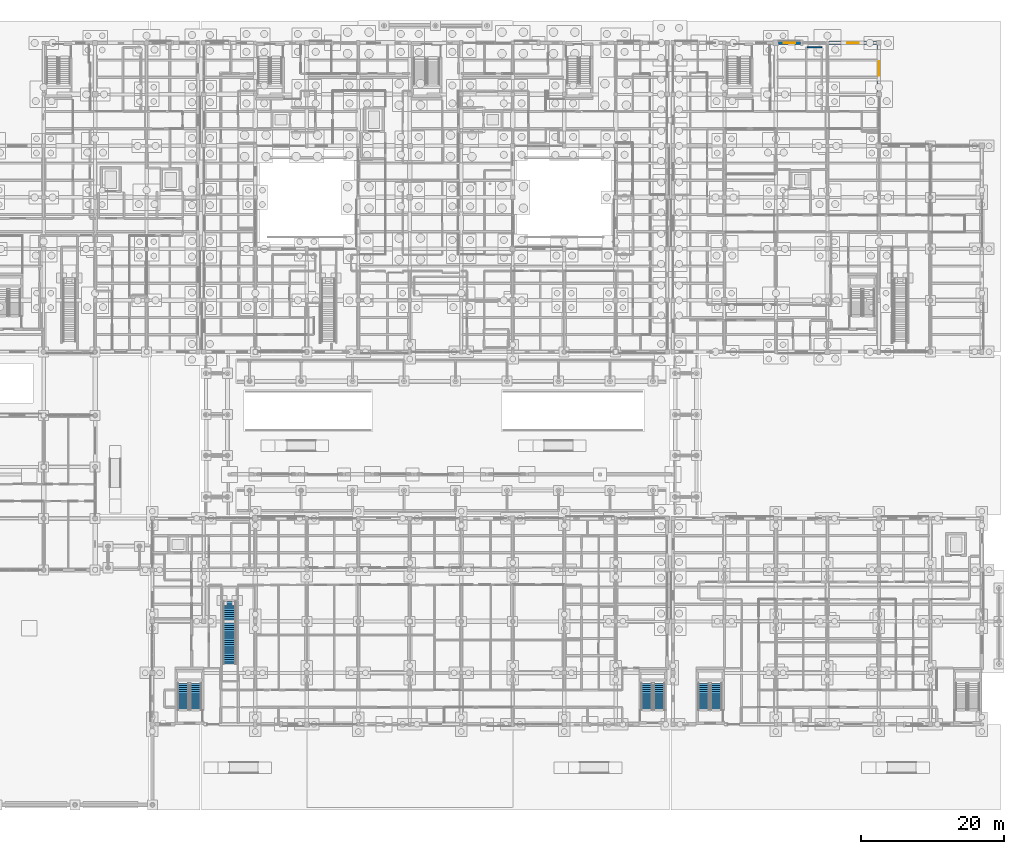
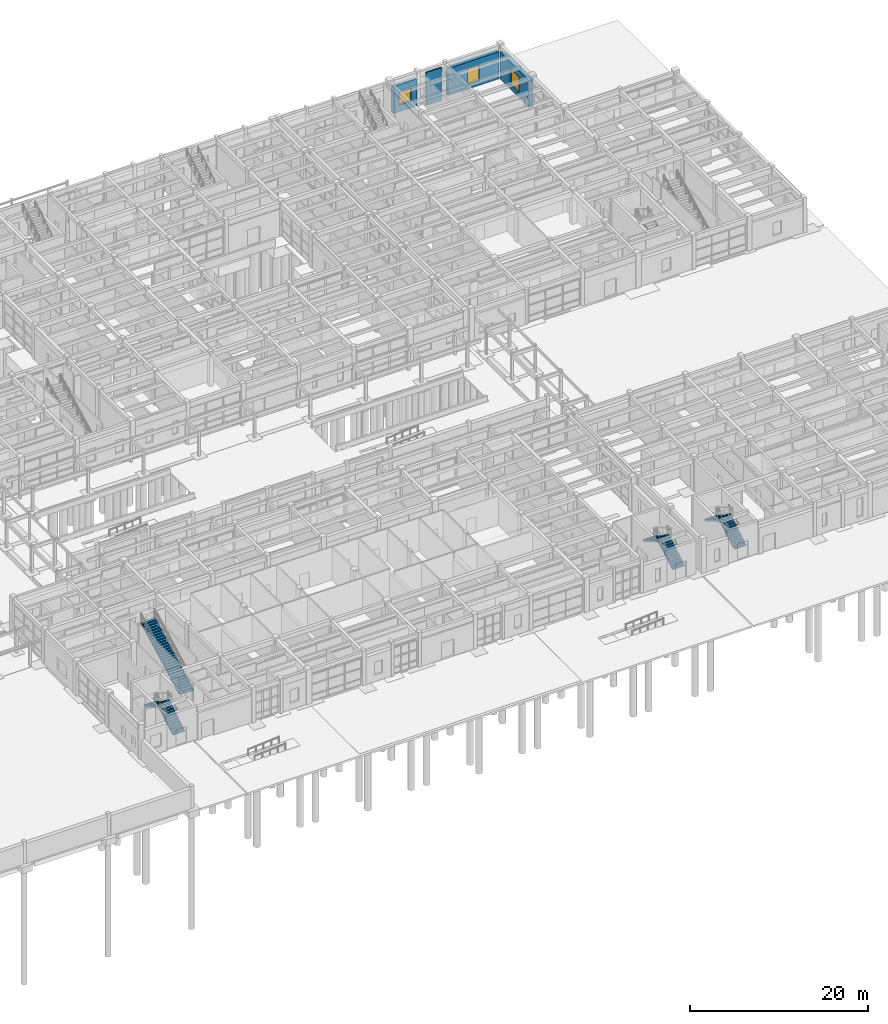
# One storey, part 122 of 143: 7 stair flights, 4 walls, 3 windows, 3 openings, 4 elements without a shape of their own.
"""IFC4 building model written with IfcOpenShell, lengths in metres."""

import ifcopenshell
import ifcopenshell.guid

model = None  # the IFC model being written
_history = None  # IfcOwnerHistory: only IFC2X3 demands one
_inside = {}  # id of a spatial element -> (the spatial element, [elements in it])
_under = {}  # id of a project, library or spatial element -> (it, [spatial elements below it])
_declared = {}  # id of a project -> (the project, [libraries it declares])
_typed = {}  # id of a type object -> (the type object, [elements of that type])
_made_of = {}  # id of a material, layer set ... -> (it, [elements and type objects made of it])


def new_model(schema):
    """Start an empty IFC model of exactly this schema.

    Asked for "IFC4X3", IfcOpenShell would pick the latest addendum, in which some entities
    have other attributes; the version numbers below select the first issue.
    IFC2X3 requires an IfcOwnerHistory on every rooted entity: one is made here for all.
    """
    global model, _history
    if schema == "IFC4X3":
        model = ifcopenshell.file(schema_version=(4, 3, 0, 0))
    else:
        model = ifcopenshell.file(schema=schema)
    _inside.clear()
    _under.clear()
    _declared.clear()
    _typed.clear()
    _made_of.clear()
    _history = None
    if model.schema == "IFC2X3":
        org = make("IfcOrganization", Name="unknown")
        user = make(
            "IfcPersonAndOrganization",
            ThePerson=make("IfcPerson", FamilyName="unknown"),
            TheOrganization=org,
        )
        app = make(
            "IfcApplication",
            ApplicationDeveloper=org,
            Version="unknown",
            ApplicationFullName="unknown",
            ApplicationIdentifier="unknown",
        )
        _history = make(
            "IfcOwnerHistory",
            OwningUser=user,
            OwningApplication=app,
            ChangeAction="ADDED",
            CreationDate=0,
        )
    return model


def make(cls, **values):
    """One entity of the class cls with the attributes given. An attribute that is None is left unset."""
    return model.create_entity(
        cls, **{name: value for name, value in values.items() if value is not None}
    )


def rooted(cls, **values):
    """An entity with a GlobalId (a new one), such as an element, a storey or a relation."""
    return make(cls, GlobalId=ifcopenshell.guid.new(), OwnerHistory=_history, **values)


def si_unit(unit_type, name, prefix=None):
    """IfcSIUnit, for example si_unit("LENGTHUNIT", "METRE", prefix="MILLI")."""
    return make("IfcSIUnit", UnitType=unit_type, Prefix=prefix, Name=name)


def assignment(units):
    """IfcUnitAssignment: the units of a project."""
    return None if units is None else make("IfcUnitAssignment", Units=units)


def point(xyz):
    """IfcCartesianPoint."""
    return None if xyz is None else make("IfcCartesianPoint", Coordinates=xyz)


def direction(xyz):
    """IfcDirection."""
    return None if xyz is None else make("IfcDirection", DirectionRatios=xyz)


def frame(location, z_axis=None, x_axis=None):
    """IfcAxis2Placement3D, a coordinate frame: its origin and axes. An axis left out is left unset."""
    return make(
        "IfcAxis2Placement3D",
        Location=point(location),
        Axis=direction(z_axis),
        RefDirection=direction(x_axis),
    )


def frame_2d(location, x_axis=None):
    """IfcAxis2Placement2D, a coordinate frame in the plane: its origin and x axis."""
    return make(
        "IfcAxis2Placement2D", Location=point(location), RefDirection=direction(x_axis)
    )


def origin():
    """The frame at (0, 0, 0) with its axes left unset."""
    return frame((0.0, 0.0, 0.0))


def place(relative_to, where):
    """IfcLocalPlacement: puts the frame where relative to a parent placement (None: the world)."""
    return make(
        "IfcLocalPlacement", PlacementRelTo=relative_to, RelativePlacement=where
    )


def context(
    kind, dimensions, precision=None, world=None, true_north=None, identifier=None
):
    """IfcGeometricRepresentationContext, for example the 3D "Model" context."""
    return make(
        "IfcGeometricRepresentationContext",
        ContextIdentifier=identifier,
        ContextType=kind,
        CoordinateSpaceDimension=dimensions,
        Precision=precision,
        WorldCoordinateSystem=world,
        TrueNorth=true_north,
    )


def subcontext(parent, identifier, kind, view, scale=None):
    """IfcGeometricRepresentationSubContext, for example "Body" below "Model"."""
    return make(
        "IfcGeometricRepresentationSubContext",
        ContextIdentifier=identifier,
        ContextType=kind,
        ParentContext=parent,
        TargetScale=scale,
        TargetView=view,
    )


def project(units=None, contexts=None):
    """IfcProject with its units and contexts."""
    return rooted(
        "IfcProject",
        Name="project",
        RepresentationContexts=contexts,
        UnitsInContext=assignment(units),
    )


def spatial(cls, under=None, at=None, **own):
    """A site, building, storey or space (cls), placed at a placement, below another one or the project."""
    s = rooted(cls, ObjectPlacement=at, **own)
    if under is not None:
        _under.setdefault(under.id(), (under, []))[1].append(s)
    return s


def polyline(points):
    """IfcPolyline through the points."""
    return make("IfcPolyline", Points=[point(p) for p in points])


def profile(cls, at=None, kind="AREA", **sizes):
    """A parametric profile (cls). Its sizes go by their IFC names, for example OverallWidth=200.0."""
    return make(cls, ProfileType=kind, Position=at, **sizes)


def rectangle(**sizes):
    """IfcRectangleProfileDef."""
    return profile("IfcRectangleProfileDef", **sizes)


def outline(outer, holes=None, kind="AREA"):
    """IfcArbitraryClosedProfileDef: a profile drawn as a closed curve; with holes, ...WithVoids."""
    if holes is None:
        return make("IfcArbitraryClosedProfileDef", ProfileType=kind, OuterCurve=outer)
    return make(
        "IfcArbitraryProfileDefWithVoids",
        ProfileType=kind,
        OuterCurve=outer,
        InnerCurves=holes,
    )


def extrude(swept, where, along, depth):
    """IfcExtrudedAreaSolid: the profile swept, set in the frame where, extruded along a direction by depth."""
    return make(
        "IfcExtrudedAreaSolid",
        SweptArea=swept,
        Position=where,
        ExtrudedDirection=direction(along),
        Depth=depth,
    )


def shape(context_of_items, identifier, shape_type, items):
    """IfcShapeRepresentation: the items that make up one representation, for example the "Body"."""
    return make(
        "IfcShapeRepresentation",
        ContextOfItems=context_of_items,
        RepresentationIdentifier=identifier,
        RepresentationType=shape_type,
        Items=items,
    )


def material(Name=None, Category=None):
    """IfcMaterial."""
    return make("IfcMaterial", Name=Name, Category=Category)


def layer(
    of_material, thickness, ventilated=None, Name=None, Category=None, Priority=None
):
    """IfcMaterialLayer: one layer of a wall or slab, of a material (None: an air gap)."""
    return make(
        "IfcMaterialLayer",
        Material=of_material,
        LayerThickness=thickness,
        IsVentilated=ventilated,
        Name=Name,
        Category=Category,
        Priority=Priority,
    )


def layer_set(layers, Name=None):
    """IfcMaterialLayerSet."""
    return make("IfcMaterialLayerSet", MaterialLayers=layers, LayerSetName=Name)


def made_of(thing, what):
    """Note that an element or type object is made of a material, layer set ...; save() writes the relation."""
    if what is not None:
        _made_of.setdefault(what.id(), (what, []))[1].append(thing)
    return thing


def type_object(cls, material=None, **own):
    """A type object (cls), such as IfcWallType, which elements share."""
    return made_of(rooted(cls, **own), material)


def element(
    cls,
    number,
    at=None,
    inside=None,
    cuts=None,
    type_object=None,
    material=None,
    context=None,
    identifier="Body",
    shape_type=None,
    held_by="IfcProductDefinitionShape",
    body=None,
    shapes=None,
    **own,
):
    """One element of the class cls, such as IfcWall. Its Tag is "e" and its number.

    at: its placement. inside: the storey or other place that contains it. cuts: it is an
    opening in that element (IfcRelVoidsElement). A single representation is given by context,
    identifier, shape_type and body (its items); several are given by shapes. held_by: the class
    of the entity that holds the representations. save() writes the other relations.
    """
    e = rooted(cls, Tag="e%d" % number, ObjectPlacement=at, **own)
    if body is not None:
        shapes = [shape(context, identifier, shape_type, body)]
    if shapes is not None:
        e.Representation = make(held_by, Representations=shapes)
    if inside is not None:
        _inside.setdefault(inside.id(), (inside, []))[1].append(e)
    if cuts is not None:
        rooted(
            "IfcRelVoidsElement", RelatingBuildingElement=cuts, RelatedOpeningElement=e
        )
    if type_object is not None:
        _typed.setdefault(type_object.id(), (type_object, []))[1].append(e)
    return made_of(e, material)


def fill(opening, filler):
    """IfcRelFillsElement: the door or window that sits in an opening."""
    return rooted(
        "IfcRelFillsElement",
        RelatingOpeningElement=opening,
        RelatedBuildingElement=filler,
    )


def aggregate(whole, parts):
    """IfcRelAggregates: a whole, such as a stair, and the parts it consists of."""
    return rooted("IfcRelAggregates", RelatingObject=whole, RelatedObjects=parts)


def save(model, path):
    """Write the relations noted so far, then the file.

    IfcRelAggregates (storeys below a building ...), IfcRelContainedInSpatialStructure (elements
    in a storey), IfcRelDefinesByType, IfcRelAssociatesMaterial and IfcRelDeclares: one each for
    every whole, place, type object, material and project.
    """
    for whole, parts in _under.values():
        aggregate(whole, parts)
    for where, things in _inside.values():
        rooted(
            "IfcRelContainedInSpatialStructure",
            RelatedElements=things,
            RelatingStructure=where,
        )
    for kind, things in _typed.values():
        rooted("IfcRelDefinesByType", RelatedObjects=things, RelatingType=kind)
    for what, things in _made_of.values():
        rooted("IfcRelAssociatesMaterial", RelatedObjects=things, RelatingMaterial=what)
    for by, libraries in _declared.values():
        rooted("IfcRelDeclares", RelatingContext=by, RelatedDefinitions=libraries)
    model.write(path)


model = new_model("IFC4")

# Units and contexts
model_context = context("Model", 3, precision=1e-05, world=origin(), true_north=direction((0.0, 1.0)))
body_context = subcontext(model_context, "Body", "Model", "MODEL_VIEW")
ifc_project = project(units=[si_unit("LENGTHUNIT", "METRE"), si_unit("AREAUNIT", "SQUARE_METRE"), si_unit("VOLUMEUNIT", "CUBIC_METRE"), si_unit("PLANEANGLEUNIT", "RADIAN"), si_unit("MASSUNIT", "GRAM", prefix="KILO")], contexts=[model_context])

# Site, building, storey
site_placement = place(None, origin())
site = spatial("IfcSite", under=ifc_project, at=site_placement, CompositionType="ELEMENT")
building_placement = place(site_placement, origin())
building = spatial("IfcBuilding", under=site, at=building_placement, Name="Steenspoor Specialist Clinic", CompositionType="ELEMENT")
storey_placement = place(building_placement, origin())
storey = spatial("IfcBuildingStorey", under=building, at=storey_placement, Name="L00", CompositionType="ELEMENT", Elevation=0.0)

# Wall, opening, window
ifc_material_1 = material(Name="Volcanic basalt ashlar masonry", Category="masonry")
ifc_layer_1 = layer(ifc_material_1, 0.47998046875)
ifc_layer_set_1 = layer_set([ifc_layer_1], Name="Volcanic basalt ashlar masonry")
wall_type_1 = type_object("IfcWallType", Name="W-BASALT-480", PredefinedType="SOLIDWALL", material=ifc_layer_set_1)
wall_1_placement = place(storey_placement, frame((132.77490234375, 108.35009765625, 0.0), z_axis=(0.0, 0.0, 1.0), x_axis=(1.0, 0.0, 0.0)))
wall_1 = element("IfcWall", 1, at=wall_1_placement, inside=storey, type_object=wall_type_1, Name="Exterior Brick Wall EW-V6-L00-0306", PredefinedType="SOLIDWALL", context=body_context, shape_type="SweptSolid", body=[
    extrude(rectangle(XDim=3.03515625, YDim=0.47998046875, at=frame_2d((1.517578125, 0.0))), origin(), (0.0, 0.0, 1.0), 3.699951171875),
])
opening_1_placement = place(wall_1_placement, frame((0.717529296875, 0.0, 0.89990234375)))
opening_1 = element("IfcOpeningElement", 2, at=opening_1_placement, cuts=wall_1, Name="Opening WN-07", PredefinedType="OPENING", context=body_context, shape_type="SweptSolid", body=[
    extrude(rectangle(XDim=1.60009765625, YDim=1.800048828125, at=frame_2d((0.800048828125, 0.89990234375))), frame((0.0, 0.25, 0.0), z_axis=(0.0, -1.0, 0.0), x_axis=(1.0, 0.0, 0.0)), (0.0, 0.0, 1.0), 0.5),
])
ifc_material_2 = material(Name="Thermally broken aluminium and low-emissivity glass", Category="aluminium")
window_type_1 = type_object("IfcWindowType", Name="WN-EXT-160X180", PartitioningType="SINGLE_PANEL", PredefinedType="WINDOW", material=ifc_material_2)
window_1_placement = place(opening_1_placement, origin())
window_1 = element("IfcWindow", 3, at=window_1_placement, inside=storey, type_object=window_type_1, Name="Window 0327", OverallHeight=1.800048828125, OverallWidth=1.60009765625, PartitioningType="SINGLE_PANEL", PredefinedType="WINDOW", context=body_context, shape_type="SweptSolid", body=[
    extrude(rectangle(XDim=1.60009765625, YDim=1.800048828125, at=frame_2d((0.800048828125, 0.89990234375))), frame((0.0, 0.030029296875, 0.0), z_axis=(0.0, -1.0, 0.0), x_axis=(1.0, 0.0, 0.0)), (0.0, 0.0, 1.0), 0.06005859375),
])
fill(opening_1, window_1)

wall_2_placement = place(storey_placement, frame((139.85009765625, 108.35009765625, 0.0), z_axis=(0.0, 0.0, 1.0), x_axis=(1.0, 0.0, 0.0)))
wall_2 = element("IfcWall", 4, at=wall_2_placement, inside=storey, type_object=wall_type_1, Name="Exterior Brick Wall EW-V6-L00-0307", PredefinedType="SOLIDWALL", context=body_context, shape_type="SweptSolid", body=[
    extrude(rectangle(XDim=6.625, YDim=0.47998046875, at=frame_2d((3.3125, 0.0))), origin(), (0.0, 0.0, 1.0), 3.699951171875),
])
opening_2_placement = place(wall_2_placement, frame((2.512451171875, 0.0, 0.60009765625)))
opening_2 = element("IfcOpeningElement", 5, at=opening_2_placement, cuts=wall_2, Name="Opening WN-16", PredefinedType="OPENING", context=body_context, shape_type="SweptSolid", body=[
    extrude(rectangle(XDim=1.60009765625, YDim=2.199951171875, at=frame_2d((0.800048828125, 1.10009765625))), frame((0.0, 0.25, 0.0), z_axis=(0.0, -1.0, 0.0), x_axis=(1.0, 0.0, 0.0)), (0.0, 0.0, 1.0), 0.5),
])
window_type_2 = type_object("IfcWindowType", Name="WN-EXT-160X220", PartitioningType="SINGLE_PANEL", PredefinedType="WINDOW", material=ifc_material_2)
window_2_placement = place(opening_2_placement, origin())
window_2 = element("IfcWindow", 6, at=window_2_placement, inside=storey, type_object=window_type_2, Name="Window 0328", OverallHeight=2.199951171875, OverallWidth=1.60009765625, PartitioningType="SINGLE_PANEL", PredefinedType="WINDOW", context=body_context, shape_type="SweptSolid", body=[
    extrude(rectangle(XDim=1.60009765625, YDim=2.199951171875, at=frame_2d((0.800048828125, 1.10009765625))), frame((0.0, 0.030029296875, 0.0), z_axis=(0.0, -1.0, 0.0), x_axis=(1.0, 0.0, 0.0)), (0.0, 0.0, 1.0), 0.06005859375),
])
fill(opening_2, window_2)

wall_3_placement = place(storey_placement, frame((146.800048828125, 108.02490234375, 0.0), z_axis=(0.0, 0.0, 1.0), x_axis=(0.0, -1.0, 0.0)))
wall_3 = element("IfcWall", 7, at=wall_3_placement, inside=storey, type_object=wall_type_1, Name="Exterior Brick Wall EW-V6-L00-0308", PredefinedType="SOLIDWALL", context=body_context, shape_type="SweptSolid", body=[
    extrude(rectangle(XDim=6.52490234375, YDim=0.47998046875, at=frame_2d((3.262451171875, 0.0))), origin(), (0.0, 0.0, 1.0), 3.699951171875),
])
opening_3_placement = place(wall_3_placement, frame((2.262451171875, 0.0, 0.60009765625)))
opening_3 = element("IfcOpeningElement", 8, at=opening_3_placement, cuts=wall_3, Name="Opening WN-17", PredefinedType="OPENING", context=body_context, shape_type="SweptSolid", body=[
    extrude(rectangle(XDim=2.0, YDim=2.199951171875, at=frame_2d((1.0, 1.10009765625))), frame((0.0, 0.25, 0.0), z_axis=(0.0, -1.0, 0.0), x_axis=(1.0, 0.0, 0.0)), (0.0, 0.0, 1.0), 0.5),
])
window_type_3 = type_object("IfcWindowType", Name="WN-EXT-200X220", PartitioningType="SINGLE_PANEL", PredefinedType="WINDOW", material=ifc_material_2)
window_3_placement = place(opening_3_placement, origin())
window_3 = element("IfcWindow", 9, at=window_3_placement, inside=storey, type_object=window_type_3, Name="Window 0329", OverallHeight=2.199951171875, OverallWidth=2.0, PartitioningType="SINGLE_PANEL", PredefinedType="WINDOW", context=body_context, shape_type="SweptSolid", body=[
    extrude(rectangle(XDim=2.0, YDim=2.199951171875, at=frame_2d((1.0, 1.10009765625))), frame((0.0, 0.030029296875, 0.0), z_axis=(0.0, -1.0, 0.0), x_axis=(1.0, 0.0, 0.0)), (0.0, 0.0, 1.0), 0.06005859375),
])
fill(opening_3, window_3)

# Wall
ifc_material_3 = material(Name="Moisture-resistant gypsum plumbing wall", Category="gypsum")
ifc_layer_2 = layer(ifc_material_3, 0.179931640625)
ifc_layer_set_2 = layer_set([ifc_layer_2], Name="Moisture-resistant gypsum plumbing wall")
wall_type_2 = type_object("IfcWallType", Name="W-PLUMB-180", PredefinedType="PLUMBINGWALL", material=ifc_layer_set_2)
wall_4_placement = place(storey_placement, frame((136.7548828125, 107.72998046875, 0.0), z_axis=(0.0, 0.0, 1.0), x_axis=(1.0, 0.0, 0.0)))
element("IfcWall", 10, at=wall_4_placement, inside=storey, type_object=wall_type_2, Name="Interior Partition IW-V6-L00-0043", PredefinedType="PLUMBINGWALL", context=body_context, shape_type="SweptSolid", body=[
    extrude(rectangle(XDim=2.045166015625, YDim=0.179931640625, at=frame_2d((1.0224609375, 0.0))), origin(), (0.0, 0.0, 1.0), 4.52001953125),
])

# Stair, stair flights
ifc_material_4 = material(Name="Concrete C35/45", Category="concrete")
stair_type_1 = type_object("IfcStairType", Name="ST-CORE-L00", PredefinedType="HALF_TURN_STAIR", material=ifc_material_4)
stair_1_placement = place(storey_placement, origin())
stair_1 = element("IfcStair", 11, at=stair_1_placement, inside=storey, type_object=stair_type_1, Name="L00 Enclosed Exit Stair ST-V1A", PredefinedType="HALF_TURN_STAIR")
stair_flight_type_1 = type_object("IfcStairFlightType", Name="FL-CORE-L00", PredefinedType="STRAIGHT", material=ifc_material_4)
stair_flight_1_placement = place(storey_placement, frame((51.27490234375, 15.050048828125, 0.0), z_axis=(0.0, 0.0, 1.0), x_axis=(0.0, 1.0, 0.0)))
stair_flight_1 = element("IfcStairFlight", 12, at=stair_flight_1_placement, type_object=stair_flight_type_1, Name="ST-V1A flight 1", NumberOfRisers=14, NumberOfTreads=13, PredefinedType="STRAIGHT", RiserHeight=0.171428571, TreadLength=0.285, context=body_context, shape_type="SweptSolid", body=[
    extrude(outline(polyline([(0.0, 0.0), (0.0, 0.17138671875), (0.284912109375, 0.17138671875), (0.284912109375, 0.3427734375), (0.570068359375, 0.3427734375), (0.570068359375, 0.514404296875), (0.85498046875, 0.514404296875), (0.85498046875, 0.685791015625), (1.139892578125, 0.685791015625), (1.139892578125, 0.857177734375), (1.425048828125, 0.857177734375), (1.425048828125, 1.028564453125), (1.7099609375, 1.028564453125), (1.7099609375, 1.199951171875), (1.9951171875, 1.199951171875), (1.9951171875, 1.371337890625), (2.280029296875, 1.371337890625), (2.280029296875, 1.54296875), (2.56494140625, 1.54296875), (2.56494140625, 1.71435546875), (2.85009765625, 1.71435546875), (2.85009765625, 1.8857421875), (3.135009765625, 1.8857421875), (3.135009765625, 2.05712890625), (3.419921875, 2.05712890625), (3.419921875, 2.228515625), (3.705078125, 2.228515625), (3.705078125, 2.39990234375), (3.705078125, 2.0419921875), (0.310302734375, 0.0), (0.0, 0.0)])), frame((0.0, 0.77490234375, 0.0), z_axis=(0.0, -1.0, 0.0), x_axis=(1.0, 0.0, 0.0)), (0.0, 0.0, 1.0), 1.550048828125),
])
stair_flight_2_placement = place(storey_placement, frame((49.52490234375, 18.7548828125, 2.39990234375), z_axis=(0.0, 0.0, 1.0), x_axis=(0.0, -1.0, 0.0)))
stair_flight_2 = element("IfcStairFlight", 13, at=stair_flight_2_placement, type_object=stair_flight_type_1, Name="ST-V1A flight 2", NumberOfRisers=14, NumberOfTreads=13, PredefinedType="STRAIGHT", RiserHeight=0.171428571, TreadLength=0.285, context=body_context, shape_type="SweptSolid", body=[
    extrude(outline(polyline([(0.0, 0.0), (0.0, 0.17138671875), (0.284912109375, 0.17138671875), (0.284912109375, 0.3427734375), (0.570068359375, 0.3427734375), (0.570068359375, 0.514404296875), (0.85498046875, 0.514404296875), (0.85498046875, 0.685791015625), (1.139892578125, 0.685791015625), (1.139892578125, 0.857177734375), (1.425048828125, 0.857177734375), (1.425048828125, 1.028564453125), (1.7099609375, 1.028564453125), (1.7099609375, 1.199951171875), (1.9951171875, 1.199951171875), (1.9951171875, 1.371337890625), (2.280029296875, 1.371337890625), (2.280029296875, 1.54296875), (2.56494140625, 1.54296875), (2.56494140625, 1.71435546875), (2.85009765625, 1.71435546875), (2.85009765625, 1.8857421875), (3.135009765625, 1.8857421875), (3.135009765625, 2.05712890625), (3.419921875, 2.05712890625), (3.419921875, 2.228515625), (3.705078125, 2.228515625), (3.705078125, 2.39990234375), (3.705078125, 2.0419921875), (0.310302734375, 0.0), (0.0, 0.0)])), frame((0.0, 0.77490234375, 0.0), z_axis=(0.0, -1.0, 0.0), x_axis=(1.0, 0.0, 0.0)), (0.0, 0.0, 1.0), 1.550048828125),
])
aggregate(stair_1, [stair_flight_1, stair_flight_2])

stair_2_placement = place(storey_placement, origin())
stair_2 = element("IfcStair", 14, at=stair_2_placement, inside=storey, type_object=stair_type_1, Name="L00 Enclosed Exit Stair ST-V1B", PredefinedType="HALF_TURN_STAIR")
stair_flight_3_placement = place(storey_placement, frame((116.074951171875, 15.050048828125, 0.0), z_axis=(0.0, 0.0, 1.0), x_axis=(0.0, 1.0, 0.0)))
stair_flight_3 = element("IfcStairFlight", 15, at=stair_flight_3_placement, type_object=stair_flight_type_1, Name="ST-V1B flight 1", NumberOfRisers=14, NumberOfTreads=13, PredefinedType="STRAIGHT", RiserHeight=0.171428571, TreadLength=0.285, context=body_context, shape_type="SweptSolid", body=[
    extrude(outline(polyline([(0.0, 0.0), (0.0, 0.17138671875), (0.284912109375, 0.17138671875), (0.284912109375, 0.3427734375), (0.570068359375, 0.3427734375), (0.570068359375, 0.514404296875), (0.85498046875, 0.514404296875), (0.85498046875, 0.685791015625), (1.139892578125, 0.685791015625), (1.139892578125, 0.857177734375), (1.425048828125, 0.857177734375), (1.425048828125, 1.028564453125), (1.7099609375, 1.028564453125), (1.7099609375, 1.199951171875), (1.9951171875, 1.199951171875), (1.9951171875, 1.371337890625), (2.280029296875, 1.371337890625), (2.280029296875, 1.54296875), (2.56494140625, 1.54296875), (2.56494140625, 1.71435546875), (2.85009765625, 1.71435546875), (2.85009765625, 1.8857421875), (3.135009765625, 1.8857421875), (3.135009765625, 2.05712890625), (3.419921875, 2.05712890625), (3.419921875, 2.228515625), (3.705078125, 2.228515625), (3.705078125, 2.39990234375), (3.705078125, 2.0419921875), (0.310302734375, 0.0), (0.0, 0.0)])), frame((0.0, 0.77490234375, 0.0), z_axis=(0.0, -1.0, 0.0), x_axis=(1.0, 0.0, 0.0)), (0.0, 0.0, 1.0), 1.550048828125),
])
stair_flight_4_placement = place(storey_placement, frame((114.324951171875, 18.7548828125, 2.39990234375), z_axis=(0.0, 0.0, 1.0), x_axis=(0.0, -1.0, 0.0)))
stair_flight_4 = element("IfcStairFlight", 16, at=stair_flight_4_placement, type_object=stair_flight_type_1, Name="ST-V1B flight 2", NumberOfRisers=14, NumberOfTreads=13, PredefinedType="STRAIGHT", RiserHeight=0.171428571, TreadLength=0.285, context=body_context, shape_type="SweptSolid", body=[
    extrude(outline(polyline([(0.0, 0.0), (0.0, 0.17138671875), (0.284912109375, 0.17138671875), (0.284912109375, 0.3427734375), (0.570068359375, 0.3427734375), (0.570068359375, 0.514404296875), (0.85498046875, 0.514404296875), (0.85498046875, 0.685791015625), (1.139892578125, 0.685791015625), (1.139892578125, 0.857177734375), (1.425048828125, 0.857177734375), (1.425048828125, 1.028564453125), (1.7099609375, 1.028564453125), (1.7099609375, 1.199951171875), (1.9951171875, 1.199951171875), (1.9951171875, 1.371337890625), (2.280029296875, 1.371337890625), (2.280029296875, 1.54296875), (2.56494140625, 1.54296875), (2.56494140625, 1.71435546875), (2.85009765625, 1.71435546875), (2.85009765625, 1.8857421875), (3.135009765625, 1.8857421875), (3.135009765625, 2.05712890625), (3.419921875, 2.05712890625), (3.419921875, 2.228515625), (3.705078125, 2.228515625), (3.705078125, 2.39990234375), (3.705078125, 2.0419921875), (0.310302734375, 0.0), (0.0, 0.0)])), frame((0.0, 0.77490234375, 0.0), z_axis=(0.0, -1.0, 0.0), x_axis=(1.0, 0.0, 0.0)), (0.0, 0.0, 1.0), 1.550048828125),
])
aggregate(stair_2, [stair_flight_3, stair_flight_4])

stair_3_placement = place(storey_placement, origin())
stair_3 = element("IfcStair", 17, at=stair_3_placement, inside=storey, type_object=stair_type_1, Name="L00 Enclosed Exit Stair ST-V2A", PredefinedType="HALF_TURN_STAIR")
stair_flight_5_placement = place(storey_placement, frame((124.074951171875, 15.050048828125, 0.0), z_axis=(0.0, 0.0, 1.0), x_axis=(0.0, 1.0, 0.0)))
stair_flight_5 = element("IfcStairFlight", 18, at=stair_flight_5_placement, type_object=stair_flight_type_1, Name="ST-V2A flight 1", NumberOfRisers=14, NumberOfTreads=13, PredefinedType="STRAIGHT", RiserHeight=0.171428571, TreadLength=0.285, context=body_context, shape_type="SweptSolid", body=[
    extrude(outline(polyline([(0.0, 0.0), (0.0, 0.17138671875), (0.284912109375, 0.17138671875), (0.284912109375, 0.3427734375), (0.570068359375, 0.3427734375), (0.570068359375, 0.514404296875), (0.85498046875, 0.514404296875), (0.85498046875, 0.685791015625), (1.139892578125, 0.685791015625), (1.139892578125, 0.857177734375), (1.425048828125, 0.857177734375), (1.425048828125, 1.028564453125), (1.7099609375, 1.028564453125), (1.7099609375, 1.199951171875), (1.9951171875, 1.199951171875), (1.9951171875, 1.371337890625), (2.280029296875, 1.371337890625), (2.280029296875, 1.54296875), (2.56494140625, 1.54296875), (2.56494140625, 1.71435546875), (2.85009765625, 1.71435546875), (2.85009765625, 1.8857421875), (3.135009765625, 1.8857421875), (3.135009765625, 2.05712890625), (3.419921875, 2.05712890625), (3.419921875, 2.228515625), (3.705078125, 2.228515625), (3.705078125, 2.39990234375), (3.705078125, 2.0419921875), (0.310302734375, 0.0), (0.0, 0.0)])), frame((0.0, 0.77490234375, 0.0), z_axis=(0.0, -1.0, 0.0), x_axis=(1.0, 0.0, 0.0)), (0.0, 0.0, 1.0), 1.550048828125),
])
stair_flight_6_placement = place(storey_placement, frame((122.324951171875, 18.7548828125, 2.39990234375), z_axis=(0.0, 0.0, 1.0), x_axis=(0.0, -1.0, 0.0)))
stair_flight_6 = element("IfcStairFlight", 19, at=stair_flight_6_placement, type_object=stair_flight_type_1, Name="ST-V2A flight 2", NumberOfRisers=14, NumberOfTreads=13, PredefinedType="STRAIGHT", RiserHeight=0.171428571, TreadLength=0.285, context=body_context, shape_type="SweptSolid", body=[
    extrude(outline(polyline([(0.0, 0.0), (0.0, 0.17138671875), (0.284912109375, 0.17138671875), (0.284912109375, 0.3427734375), (0.570068359375, 0.3427734375), (0.570068359375, 0.514404296875), (0.85498046875, 0.514404296875), (0.85498046875, 0.685791015625), (1.139892578125, 0.685791015625), (1.139892578125, 0.857177734375), (1.425048828125, 0.857177734375), (1.425048828125, 1.028564453125), (1.7099609375, 1.028564453125), (1.7099609375, 1.199951171875), (1.9951171875, 1.199951171875), (1.9951171875, 1.371337890625), (2.280029296875, 1.371337890625), (2.280029296875, 1.54296875), (2.56494140625, 1.54296875), (2.56494140625, 1.71435546875), (2.85009765625, 1.71435546875), (2.85009765625, 1.8857421875), (3.135009765625, 1.8857421875), (3.135009765625, 2.05712890625), (3.419921875, 2.05712890625), (3.419921875, 2.228515625), (3.705078125, 2.228515625), (3.705078125, 2.39990234375), (3.705078125, 2.0419921875), (0.310302734375, 0.0), (0.0, 0.0)])), frame((0.0, 0.77490234375, 0.0), z_axis=(0.0, -1.0, 0.0), x_axis=(1.0, 0.0, 0.0)), (0.0, 0.0, 1.0), 1.550048828125),
])
aggregate(stair_3, [stair_flight_5, stair_flight_6])

# Stair, stair flight
stair_type_2 = type_object("IfcStairType", Name="ST-FEAT-L00", PredefinedType="STRAIGHT_RUN_STAIR", material=ifc_material_4)
stair_4_placement = place(storey_placement, origin())
stair_4 = element("IfcStair", 20, at=stair_4_placement, inside=storey, type_object=stair_type_2, Name="Feature Atrium Stair ST-F01", PredefinedType="STRAIGHT_RUN_STAIR")
stair_flight_type_2 = type_object("IfcStairFlightType", Name="FL-FEAT-L00", PredefinedType="STRAIGHT", material=ifc_material_4)
stair_flight_7_placement = place(storey_placement, frame((56.0, 21.5, 0.0), z_axis=(0.0, 0.0, 1.0), x_axis=(0.0, 1.0, 0.0)))
stair_flight_7 = element("IfcStairFlight", 21, at=stair_flight_7_placement, type_object=stair_flight_type_2, Name="ST-F01 flight 1", NumberOfRisers=30, NumberOfTreads=29, PredefinedType="STRAIGHT", RiserHeight=0.16, TreadLength=0.3, context=body_context, shape_type="SweptSolid", body=[
    extrude(outline(polyline([(0.0, 0.0), (0.0, 0.159912109375), (0.300048828125, 0.159912109375), (0.300048828125, 0.320068359375), (0.60009765625, 0.320068359375), (0.60009765625, 0.47998046875), (0.89990234375, 0.47998046875), (0.89990234375, 0.639892578125), (1.199951171875, 0.639892578125), (1.199951171875, 0.800048828125), (1.5, 0.800048828125), (1.5, 0.9599609375), (1.800048828125, 0.9599609375), (1.800048828125, 1.1201171875), (2.10009765625, 1.1201171875), (2.10009765625, 1.280029296875), (2.39990234375, 1.280029296875), (2.39990234375, 1.43994140625), (2.699951171875, 1.43994140625), (2.699951171875, 1.60009765625), (3.0, 1.60009765625), (3.0, 1.760009765625), (3.300048828125, 1.760009765625), (3.300048828125, 1.919921875), (3.60009765625, 1.919921875), (3.60009765625, 2.080078125), (3.89990234375, 2.080078125), (3.89990234375, 2.239990234375), (4.199951171875, 2.239990234375), (4.199951171875, 2.39990234375), (4.5, 2.39990234375), (4.5, 2.56005859375), (4.800048828125, 2.56005859375), (4.800048828125, 2.719970703125), (5.10009765625, 2.719970703125), (5.10009765625, 2.8798828125), (5.39990234375, 2.8798828125), (5.39990234375, 3.0400390625), (5.699951171875, 3.0400390625), (5.699951171875, 3.199951171875), (6.0, 3.199951171875), (6.0, 3.360107421875), (6.300048828125, 3.360107421875), (6.300048828125, 3.52001953125), (6.60009765625, 3.52001953125), (6.60009765625, 3.679931640625), (6.89990234375, 3.679931640625), (6.89990234375, 3.840087890625), (7.199951171875, 3.840087890625), (7.199951171875, 4.0), (7.5, 4.0), (7.5, 4.159912109375), (7.800048828125, 4.159912109375), (7.800048828125, 4.320068359375), (8.10009765625, 4.320068359375), (8.10009765625, 4.47998046875), (8.39990234375, 4.47998046875), (8.39990234375, 4.639892578125), (8.699951171875, 4.639892578125), (8.699951171875, 4.800048828125), (8.699951171875, 4.458740234375), (0.33984375, 0.0), (0.0, 0.0)])), frame((0.0, 0.925048828125, 0.0), z_axis=(0.0, -1.0, 0.0), x_axis=(1.0, 0.0, 0.0)), (0.0, 0.0, 1.0), 1.85009765625),
])
aggregate(stair_4, [stair_flight_7])

save(model, "model.ifc")
